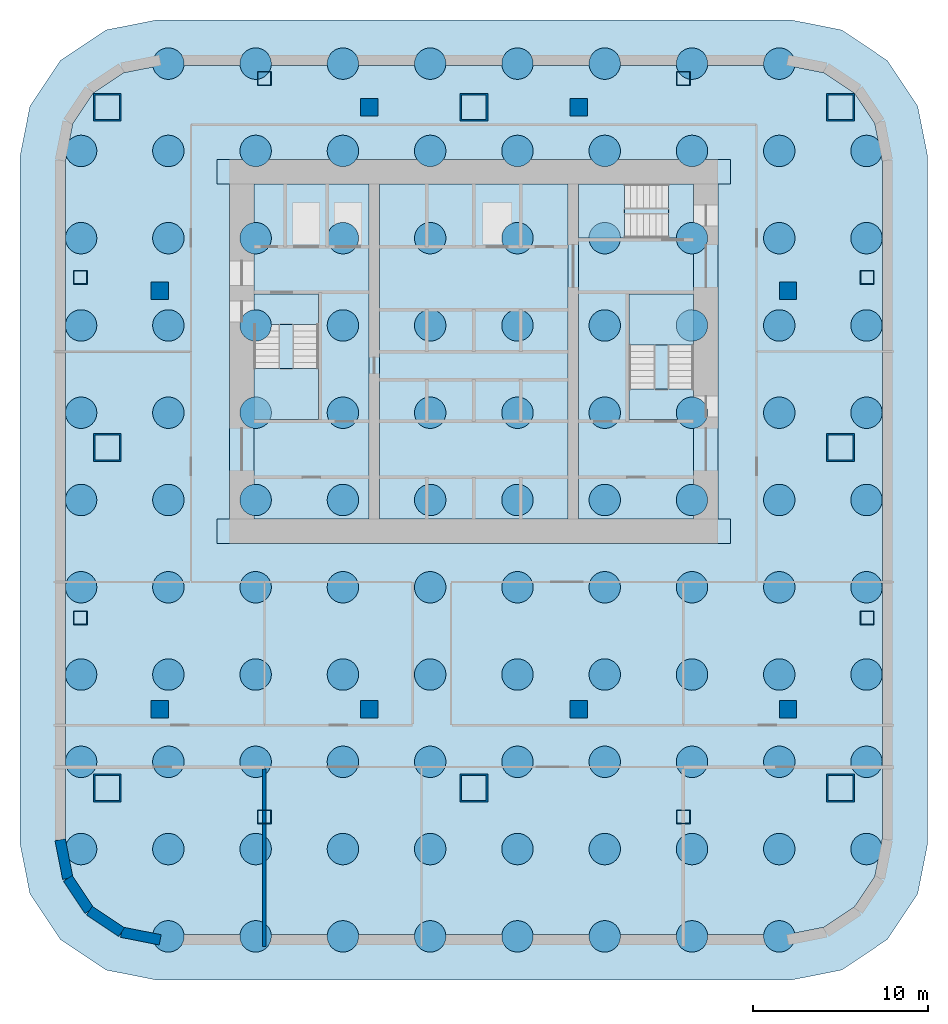
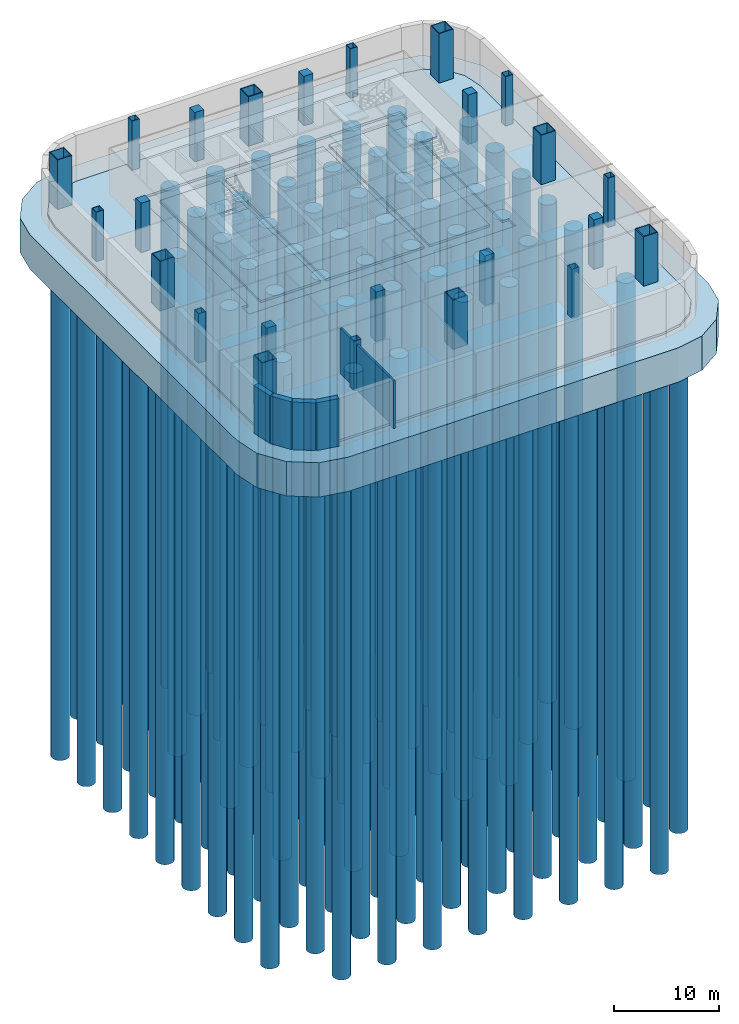
# One storey, part 1 of 6: 106 piles, 24 columns, 13 slabs, 5 walls, 1 footing, 3 elements without a shape of their own.
"""IFC4 building model written with IfcOpenShell, lengths in metres."""

from ifc_helpers import new_model, si_unit, direction, frame, frame_2d, origin, origin_2d, place, context, subcontext, project, spatial, polyline, rectangle, hollow_rectangle, circle, outline, extrude, material, layer, layer_set, material_profile, profile_set, type_object, element, aggregate, save


model = new_model("IFC4")

# Units and contexts
model_context = context("Model", 3, precision=1e-05, world=origin(), true_north=direction((0.0, 1.0)))
body_context = subcontext(model_context, "Body", "Model", "MODEL_VIEW")
ifc_project = project(units=[si_unit("LENGTHUNIT", "METRE"), si_unit("AREAUNIT", "SQUARE_METRE"), si_unit("VOLUMEUNIT", "CUBIC_METRE"), si_unit("PLANEANGLEUNIT", "RADIAN"), si_unit("MASSUNIT", "GRAM", prefix="KILO")], contexts=[model_context])

# Site, building, storey
site_placement = place(None, origin())
site = spatial("IfcSite", under=ifc_project, at=site_placement, CompositionType="ELEMENT")
building_placement = place(site_placement, origin())
building = spatial("IfcBuilding", under=site, at=building_placement, Name="Verdant Reach Tower", CompositionType="ELEMENT")
storey_placement = place(building_placement, frame((0.0, 0.0, -6.0)))
storey = spatial("IfcBuildingStorey", under=building, at=storey_placement, Name="B1", CompositionType="ELEMENT", Elevation=-6.0)

# Piles
ifc_material_1 = material(Name="Concrete C40/50", Category="concrete")
ifc_material_profile_1 = material_profile(ifc_material_1, circle(Radius=0.89990234375, at=origin_2d()), Name="BP 1800")
ifc_profile_set_1 = profile_set([ifc_material_profile_1], Name="Concrete C40/50")
pile_type = type_object("IfcPileType", Name="ST-PILE", PredefinedType="BORED", material=ifc_profile_set_1)
for number, where, z_axis, x_axis, name in (
    (1, (-22.5, -0.5, -4.0), (0.0, 0.0, -1.0), (1.0, 0.0, 0.0), "Bored pile 1"),
    (2, (-22.5, 4.5, -4.0), (0.0, 0.0, -1.0), (1.0, 0.0, 0.0), "Bored pile 2"),
    (3, (-22.5, 9.5, -4.0), (0.0, 0.0, -1.0), (1.0, 0.0, 0.0), "Bored pile 3"),
    (4, (-22.5, 14.5, -4.0), (0.0, 0.0, -1.0), (1.0, 0.0, 0.0), "Bored pile 4"),
    (5, (-22.5, 19.5, -4.0), (0.0, 0.0, -1.0), (1.0, 0.0, 0.0), "Bored pile 5"),
    (6, (-22.5, 24.5, -4.0), (0.0, 0.0, -1.0), (1.0, 0.0, 0.0), "Bored pile 6"),
    (7, (-22.5, 29.5, -4.0), (0.0, 0.0, -1.0), (1.0, 0.0, 0.0), "Bored pile 7"),
    (8, (-22.5, 34.5, -4.0), (0.0, 0.0, -1.0), (1.0, 0.0, 0.0), "Bored pile 8"),
    (9, (-22.5, 39.5, -4.0), (0.0, 0.0, -1.0), (1.0, 0.0, 0.0), "Bored pile 9"),
    (10, (-17.5, -5.5, -4.0), (0.0, 0.0, -1.0), (1.0, 0.0, 0.0), "Bored pile 10"),
    (11, (-17.5, -0.5, -4.0), (0.0, 0.0, -1.0), (1.0, 0.0, 0.0), "Bored pile 11"),
    (12, (-17.5, 4.5, -4.0), (0.0, 0.0, -1.0), (1.0, 0.0, 0.0), "Bored pile 12"),
    (13, (-17.5, 9.5, -4.0), (0.0, 0.0, -1.0), (1.0, 0.0, 0.0), "Bored pile 13"),
    (14, (-17.5, 14.5, -4.0), (0.0, 0.0, -1.0), (1.0, 0.0, 0.0), "Bored pile 14"),
    (15, (-17.5, 19.5, -4.0), (0.0, 0.0, -1.0), (1.0, 0.0, 0.0), "Bored pile 15"),
    (16, (-17.5, 24.5, -4.0), (0.0, 0.0, -1.0), (1.0, 0.0, 0.0), "Bored pile 16"),
    (17, (-17.5, 29.5, -4.0), (0.0, 0.0, -1.0), (1.0, 0.0, 0.0), "Bored pile 17"),
    (18, (-17.5, 34.5, -4.0), (0.0, 0.0, -1.0), (1.0, 0.0, 0.0), "Bored pile 18"),
    (19, (-17.5, 39.5, -4.0), (0.0, 0.0, -1.0), (1.0, 0.0, 0.0), "Bored pile 19"),
    (20, (-17.5, 44.5, -4.0), (0.0, 0.0, -1.0), (1.0, 0.0, 0.0), "Bored pile 20"),
    (21, (-12.5, -5.5, -4.0), (0.0, 0.0, -1.0), (1.0, 0.0, 0.0), "Bored pile 21"),
    (22, (-12.5, -0.5, -4.0), (0.0, 0.0, -1.0), (1.0, 0.0, 0.0), "Bored pile 22"),
    (23, (-12.5, 4.5, -4.0), (0.0, 0.0, -1.0), (1.0, 0.0, 0.0), "Bored pile 23"),
    (24, (-12.5, 9.5, -4.0), (0.0, 0.0, -1.0), (1.0, 0.0, 0.0), "Bored pile 24"),
    (25, (-12.5, 14.5, -4.0), (0.0, 0.0, -1.0), (1.0, 0.0, 0.0), "Bored pile 25"),
    (26, (-12.5, 19.5, -4.0), (0.0, 0.0, -1.0), (1.0, 0.0, 0.0), "Bored pile 26"),
    (27, (-12.5, 24.5, -4.0), (0.0, 0.0, -1.0), (1.0, 0.0, 0.0), "Bored pile 27"),
    (28, (-12.5, 29.5, -4.0), (0.0, 0.0, -1.0), (1.0, 0.0, 0.0), "Bored pile 28"),
    (29, (-12.5, 34.5, -4.0), (0.0, 0.0, -1.0), (1.0, 0.0, 0.0), "Bored pile 29"),
    (30, (-12.5, 39.5, -4.0), (0.0, 0.0, -1.0), (1.0, 0.0, 0.0), "Bored pile 30"),
    (31, (-12.5, 44.5, -4.0), (0.0, 0.0, -1.0), (1.0, 0.0, 0.0), "Bored pile 31"),
    (32, (-7.5, -5.5, -4.0), (0.0, 0.0, -1.0), (1.0, 0.0, 0.0), "Bored pile 32"),
    (33, (-7.5, -0.5, -4.0), (0.0, 0.0, -1.0), (1.0, 0.0, 0.0), "Bored pile 33"),
    (34, (-7.5, 4.5, -4.0), (0.0, 0.0, -1.0), (1.0, 0.0, 0.0), "Bored pile 34"),
    (35, (-7.5, 9.5, -4.0), (0.0, 0.0, -1.0), (1.0, 0.0, 0.0), "Bored pile 35"),
    (36, (-7.5, 14.5, -4.0), (0.0, 0.0, -1.0), (1.0, 0.0, 0.0), "Bored pile 36"),
    (37, (-7.5, 19.5, -4.0), (0.0, 0.0, -1.0), (1.0, 0.0, 0.0), "Bored pile 37"),
    (38, (-7.5, 24.5, -4.0), (0.0, 0.0, -1.0), (1.0, 0.0, 0.0), "Bored pile 38"),
    (39, (-7.5, 29.5, -4.0), (0.0, 0.0, -1.0), (1.0, 0.0, 0.0), "Bored pile 39"),
    (40, (-7.5, 34.5, -4.0), (0.0, 0.0, -1.0), (1.0, 0.0, 0.0), "Bored pile 40"),
    (41, (-7.5, 39.5, -4.0), (0.0, 0.0, -1.0), (1.0, 0.0, 0.0), "Bored pile 41"),
    (42, (-7.5, 44.5, -4.0), (0.0, 0.0, -1.0), (1.0, 0.0, 0.0), "Bored pile 42"),
    (43, (-2.5, -5.5, -4.0), (0.0, 0.0, -1.0), (1.0, 0.0, 0.0), "Bored pile 43"),
    (44, (-2.5, -0.5, -4.0), (0.0, 0.0, -1.0), (1.0, 0.0, 0.0), "Bored pile 44"),
    (45, (-2.5, 4.5, -4.0), (0.0, 0.0, -1.0), (1.0, 0.0, 0.0), "Bored pile 45"),
    (46, (-2.5, 9.5, -4.0), (0.0, 0.0, -1.0), (1.0, 0.0, 0.0), "Bored pile 46"),
    (47, (-2.5, 14.5, -4.0), (0.0, 0.0, -1.0), (1.0, 0.0, 0.0), "Bored pile 47"),
    (48, (-2.5, 19.5, -4.0), (0.0, 0.0, -1.0), (1.0, 0.0, 0.0), "Bored pile 48"),
    (49, (-2.5, 24.5, -4.0), (0.0, 0.0, -1.0), (1.0, 0.0, 0.0), "Bored pile 49"),
    (50, (-2.5, 29.5, -4.0), (0.0, 0.0, -1.0), (1.0, 0.0, 0.0), "Bored pile 50"),
    (51, (-2.5, 34.5, -4.0), (0.0, 0.0, -1.0), (1.0, 0.0, 0.0), "Bored pile 51"),
    (52, (-2.5, 39.5, -4.0), (0.0, 0.0, -1.0), (1.0, 0.0, 0.0), "Bored pile 52"),
    (53, (-2.5, 44.5, -4.0), (0.0, 0.0, -1.0), (1.0, 0.0, 0.0), "Bored pile 53"),
    (54, (2.5, -5.5, -4.0), (0.0, 0.0, -1.0), (1.0, 0.0, 0.0), "Bored pile 54"),
    (55, (2.5, -0.5, -4.0), (0.0, 0.0, -1.0), (1.0, 0.0, 0.0), "Bored pile 55"),
    (56, (2.5, 4.5, -4.0), (0.0, 0.0, -1.0), (1.0, 0.0, 0.0), "Bored pile 56"),
    (57, (2.5, 9.5, -4.0), (0.0, 0.0, -1.0), (1.0, 0.0, 0.0), "Bored pile 57"),
    (58, (2.5, 14.5, -4.0), (0.0, 0.0, -1.0), (1.0, 0.0, 0.0), "Bored pile 58"),
    (59, (2.5, 19.5, -4.0), (0.0, 0.0, -1.0), (1.0, 0.0, 0.0), "Bored pile 59"),
    (60, (2.5, 24.5, -4.0), (0.0, 0.0, -1.0), (1.0, 0.0, 0.0), "Bored pile 60"),
    (61, (2.5, 29.5, -4.0), (0.0, 0.0, -1.0), (1.0, 0.0, 0.0), "Bored pile 61"),
    (62, (2.5, 34.5, -4.0), (0.0, 0.0, -1.0), (1.0, 0.0, 0.0), "Bored pile 62"),
    (63, (2.5, 39.5, -4.0), (0.0, 0.0, -1.0), (1.0, 0.0, 0.0), "Bored pile 63"),
    (64, (2.5, 44.5, -4.0), (0.0, 0.0, -1.0), (1.0, 0.0, 0.0), "Bored pile 64"),
    (65, (7.5, -5.5, -4.0), (0.0, 0.0, -1.0), (1.0, 0.0, 0.0), "Bored pile 65"),
    (66, (7.5, -0.5, -4.0), (0.0, 0.0, -1.0), (1.0, 0.0, 0.0), "Bored pile 66"),
    (67, (7.5, 4.5, -4.0), (0.0, 0.0, -1.0), (1.0, 0.0, 0.0), "Bored pile 67"),
    (68, (7.5, 9.5, -4.0), (0.0, 0.0, -1.0), (1.0, 0.0, 0.0), "Bored pile 68"),
    (69, (7.5, 14.5, -4.0), (0.0, 0.0, -1.0), (1.0, 0.0, 0.0), "Bored pile 69"),
    (70, (7.5, 19.5, -4.0), (0.0, 0.0, -1.0), (1.0, 0.0, 0.0), "Bored pile 70"),
    (71, (7.5, 24.5, -4.0), (0.0, 0.0, -1.0), (1.0, 0.0, 0.0), "Bored pile 71"),
    (72, (7.5, 29.5, -4.0), (0.0, 0.0, -1.0), (1.0, 0.0, 0.0), "Bored pile 72"),
    (73, (7.5, 34.5, -4.0), (0.0, 0.0, -1.0), (1.0, 0.0, 0.0), "Bored pile 73"),
    (74, (7.5, 39.5, -4.0), (0.0, 0.0, -1.0), (1.0, 0.0, 0.0), "Bored pile 74"),
    (75, (7.5, 44.5, -4.0), (0.0, 0.0, -1.0), (1.0, 0.0, 0.0), "Bored pile 75"),
    (76, (12.5, -5.5, -4.0), (0.0, 0.0, -1.0), (1.0, 0.0, 0.0), "Bored pile 76"),
    (77, (12.5, -0.5, -4.0), (0.0, 0.0, -1.0), (1.0, 0.0, 0.0), "Bored pile 77"),
    (78, (12.5, 4.5, -4.0), (0.0, 0.0, -1.0), (1.0, 0.0, 0.0), "Bored pile 78"),
    (79, (12.5, 9.5, -4.0), (0.0, 0.0, -1.0), (1.0, 0.0, 0.0), "Bored pile 79"),
    (80, (12.5, 14.5, -4.0), (0.0, 0.0, -1.0), (1.0, 0.0, 0.0), "Bored pile 80"),
    (81, (12.5, 19.5, -4.0), (0.0, 0.0, -1.0), (1.0, 0.0, 0.0), "Bored pile 81"),
    (82, (12.5, 24.5, -4.0), (0.0, 0.0, -1.0), (1.0, 0.0, 0.0), "Bored pile 82"),
    (83, (12.5, 29.5, -4.0), (0.0, 0.0, -1.0), (1.0, 0.0, 0.0), "Bored pile 83"),
    (84, (12.5, 34.5, -4.0), (0.0, 0.0, -1.0), (1.0, 0.0, 0.0), "Bored pile 84"),
    (85, (12.5, 39.5, -4.0), (0.0, 0.0, -1.0), (1.0, 0.0, 0.0), "Bored pile 85"),
    (86, (12.5, 44.5, -4.0), (0.0, 0.0, -1.0), (1.0, 0.0, 0.0), "Bored pile 86"),
    (87, (17.5, -5.5, -4.0), (0.0, 0.0, -1.0), (1.0, 0.0, 0.0), "Bored pile 87"),
    (88, (17.5, -0.5, -4.0), (0.0, 0.0, -1.0), (1.0, 0.0, 0.0), "Bored pile 88"),
    (89, (17.5, 4.5, -4.0), (0.0, 0.0, -1.0), (1.0, 0.0, 0.0), "Bored pile 89"),
    (90, (17.5, 9.5, -4.0), (0.0, 0.0, -1.0), (1.0, 0.0, 0.0), "Bored pile 90"),
    (91, (17.5, 14.5, -4.0), (0.0, 0.0, -1.0), (1.0, 0.0, 0.0), "Bored pile 91"),
    (92, (17.5, 19.5, -4.0), (0.0, 0.0, -1.0), (1.0, 0.0, 0.0), "Bored pile 92"),
    (93, (17.5, 24.5, -4.0), (0.0, 0.0, -1.0), (1.0, 0.0, 0.0), "Bored pile 93"),
    (94, (17.5, 29.5, -4.0), (0.0, 0.0, -1.0), (1.0, 0.0, 0.0), "Bored pile 94"),
    (95, (17.5, 34.5, -4.0), (0.0, 0.0, -1.0), (1.0, 0.0, 0.0), "Bored pile 95"),
    (96, (17.5, 39.5, -4.0), (0.0, 0.0, -1.0), (1.0, 0.0, 0.0), "Bored pile 96"),
    (97, (17.5, 44.5, -4.0), (0.0, 0.0, -1.0), (1.0, 0.0, 0.0), "Bored pile 97"),
    (98, (22.5, -0.5, -4.0), (0.0, 0.0, -1.0), (1.0, 0.0, 0.0), "Bored pile 98"),
    (99, (22.5, 4.5, -4.0), (0.0, 0.0, -1.0), (1.0, 0.0, 0.0), "Bored pile 99"),
    (100, (22.5, 9.5, -4.0), (0.0, 0.0, -1.0), (1.0, 0.0, 0.0), "Bored pile 100"),
    (101, (22.5, 14.5, -4.0), (0.0, 0.0, -1.0), (1.0, 0.0, 0.0), "Bored pile 101"),
    (102, (22.5, 19.5, -4.0), (0.0, 0.0, -1.0), (1.0, 0.0, 0.0), "Bored pile 102"),
    (103, (22.5, 24.5, -4.0), (0.0, 0.0, -1.0), (1.0, 0.0, 0.0), "Bored pile 103"),
    (104, (22.5, 29.5, -4.0), (0.0, 0.0, -1.0), (1.0, 0.0, 0.0), "Bored pile 104"),
    (105, (22.5, 34.5, -4.0), (0.0, 0.0, -1.0), (1.0, 0.0, 0.0), "Bored pile 105"),
    (106, (22.5, 39.5, -4.0), (0.0, 0.0, -1.0), (1.0, 0.0, 0.0), "Bored pile 106"),
):
    element("IfcPile", number, at=place(storey_placement, frame(where, z_axis=z_axis, x_axis=x_axis)), inside=storey, type_object=pile_type, Name=name, PredefinedType="BORED", context=body_context, shape_type="SweptSolid", body=[
        extrude(circle(Radius=0.89990234375, at=origin_2d()), origin(), (0.0, 0.0, 1.0), 58.0),
    ])

# Footing
ifc_layer_1 = layer(ifc_material_1, 4.0)
ifc_layer_set_1 = layer_set([ifc_layer_1], Name="ST-RAFT")
footing_type = type_object("IfcFootingType", Name="ST-RAFT", PredefinedType="PILE_CAP", material=ifc_layer_set_1)
footing_placement = place(storey_placement, frame((0.0, 0.0, -4.0)))
element("IfcFooting", 107, at=footing_placement, inside=storey, type_object=footing_type, Name="Piled raft", PredefinedType="PILE_CAP", context=body_context, shape_type="SweptSolid", body=[
    extrude(outline(polyline([(18.197021484375, -8.0), (-18.197021484375, -8.0), (-21.076416015625, -7.42724609375), (-23.6845703125, -5.6845703125), (-25.42724609375, -3.076416015625), (-26.0, -0.197021484375), (-26.0, 39.197021484375), (-25.42724609375, 42.076416015625), (-23.6845703125, 44.6845703125), (-21.076416015625, 46.42724609375), (-18.197021484375, 47.0), (18.197021484375, 47.0), (21.076416015625, 46.42724609375), (23.6845703125, 44.6845703125), (25.42724609375, 42.076416015625), (26.0, 39.197021484375), (26.0, -0.197021484375), (25.42724609375, -3.076416015625), (23.6845703125, -5.6845703125), (21.076416015625, -7.42724609375), (18.197021484375, -8.0)])), origin(), (0.0, 0.0, 1.0), 4.0),
])

# Columns
ifc_material_2 = material(Name="Concrete C70/85", Category="concrete")
ifc_material_profile_2 = material_profile(ifc_material_2, rectangle(XDim=1.0, YDim=1.0, at=origin_2d()), Name="RC 1000x1000")
ifc_profile_set_2 = profile_set([ifc_material_profile_2], Name="Concrete C70/85")
column_type_1 = type_object("IfcColumnType", Name="ST-COL-RC1000x1000", PredefinedType="COLUMN", material=ifc_profile_set_2)
for number, where, z_axis, x_axis, name in (
    (108, (-18.0, 7.5, 0.0), (0.0, 0.0, 1.0), (1.0, 0.0, 0.0), "Basement column 1, B1"),
    (109, (-6.0, 7.5, 0.0), (0.0, 0.0, 1.0), (1.0, 0.0, 0.0), "Basement column 2, B1"),
    (110, (6.0, 7.5, 0.0), (0.0, 0.0, 1.0), (1.0, 0.0, 0.0), "Basement column 3, B1"),
    (111, (18.0, 7.5, 0.0), (0.0, 0.0, 1.0), (1.0, 0.0, 0.0), "Basement column 4, B1"),
    (112, (-18.0, 31.5, 0.0), (0.0, 0.0, 1.0), (1.0, 0.0, 0.0), "Basement column 5, B1"),
    (113, (18.0, 31.5, 0.0), (0.0, 0.0, 1.0), (1.0, 0.0, 0.0), "Basement column 6, B1"),
    (114, (-6.0, 42.0, 0.0), (0.0, 0.0, 1.0), (1.0, 0.0, 0.0), "Basement column 7, B1"),
    (115, (6.0, 42.0, 0.0), (0.0, 0.0, 1.0), (1.0, 0.0, 0.0), "Basement column 8, B1"),
):
    element("IfcColumn", number, at=place(storey_placement, frame(where, z_axis=z_axis, x_axis=x_axis)), inside=storey, type_object=column_type_1, Name=name, PredefinedType="COLUMN", context=body_context, shape_type="SweptSolid", body=[
        extrude(rectangle(XDim=1.0, YDim=1.0, at=origin_2d()), origin(), (0.0, 0.0, 1.0), 6.0),
    ])
ifc_material_3 = material(Name="Steel S460", Category="steel")
ifc_material_profile_3 = material_profile(ifc_material_3, hollow_rectangle(XDim=1.60009765625, YDim=1.60009765625, WallThickness=0.090087890625, at=origin_2d()), Name="WB 1600x1600x90")
ifc_profile_set_3 = profile_set([ifc_material_profile_3], Name="Steel S460")
column_type_2 = type_object("IfcColumnType", Name="ST-COL-WB1600x1600x90", PredefinedType="COLUMN", material=ifc_profile_set_3)
for number, where, z_axis, x_axis, name in (
    (116, (-21.0, 42.0, 0.0), (0.0, 0.0, 1.0), (1.0, 0.0, 0.0), "Mega column north-west, B1"),
    (117, (0.0, 42.0, 0.0), (0.0, 0.0, 1.0), (1.0, 0.0, 0.0), "Mega column north, B1"),
    (118, (21.0, 42.0, 0.0), (0.0, 0.0, 1.0), (1.0, 0.0, 0.0), "Mega column north-east, B1"),
    (119, (21.0, 22.5, 0.0), (0.0, 0.0, 1.0), (1.0, 0.0, 0.0), "Mega column east, B1"),
    (120, (21.0, 3.0, 0.0), (0.0, 0.0, 1.0), (1.0, 0.0, 0.0), "Mega column south-east, B1"),
    (121, (0.0, 3.0, 0.0), (0.0, 0.0, 1.0), (1.0, 0.0, 0.0), "Mega column south, B1"),
    (122, (-21.0, 3.0, 0.0), (0.0, 0.0, 1.0), (1.0, 0.0, 0.0), "Mega column south-west, B1"),
    (123, (-21.0, 22.5, 0.0), (0.0, 0.0, 1.0), (1.0, 0.0, 0.0), "Mega column west, B1"),
):
    element("IfcColumn", number, at=place(storey_placement, frame(where, z_axis=z_axis, x_axis=x_axis)), inside=storey, type_object=column_type_2, Name=name, PredefinedType="COLUMN", context=body_context, shape_type="SweptSolid", body=[
        extrude(hollow_rectangle(XDim=1.60009765625, YDim=1.60009765625, WallThickness=0.090087890625, at=origin_2d()), origin(), (0.0, 0.0, 1.0), 6.0),
    ])
ifc_material_profile_4 = material_profile(ifc_material_3, hollow_rectangle(XDim=0.800048828125, YDim=0.800048828125, WallThickness=0.0400390625, at=origin_2d()), Name="WB 800x800x40")
ifc_profile_set_4 = profile_set([ifc_material_profile_4], Name="Steel S460")
column_type_3 = type_object("IfcColumnType", Name="ST-COL-WB800x800x40", PredefinedType="COLUMN", material=ifc_profile_set_4)
for number, where, z_axis, x_axis, name in (
    (124, (-12.0, 43.64990234375, 0.0), (0.0, 0.0, 1.0), (1.0, 0.0, 0.0), "Perimeter column north 1, B1"),
    (125, (12.0, 43.64990234375, 0.0), (0.0, 0.0, 1.0), (1.0, 0.0, 0.0), "Perimeter column north 2, B1"),
    (126, (-12.0, 1.35009765625, 0.0), (0.0, 0.0, 1.0), (1.0, 0.0, 0.0), "Perimeter column south 1, B1"),
    (127, (12.0, 1.35009765625, 0.0), (0.0, 0.0, 1.0), (1.0, 0.0, 0.0), "Perimeter column south 2, B1"),
    (128, (22.536376953125, 12.75, 0.0), (0.0, 0.0, 1.0), (1.0, 0.0, 0.0), "Perimeter column east 1, B1"),
    (129, (22.536376953125, 32.25, 0.0), (0.0, 0.0, 1.0), (1.0, 0.0, 0.0), "Perimeter column east 2, B1"),
    (130, (-22.536376953125, 12.75, 0.0), (0.0, 0.0, 1.0), (1.0, 0.0, 0.0), "Perimeter column west 1, B1"),
    (131, (-22.536376953125, 32.25, 0.0), (0.0, 0.0, 1.0), (1.0, 0.0, 0.0), "Perimeter column west 2, B1"),
):
    element("IfcColumn", number, at=place(storey_placement, frame(where, z_axis=z_axis, x_axis=x_axis)), inside=storey, type_object=column_type_3, Name=name, PredefinedType="COLUMN", context=body_context, shape_type="SweptSolid", body=[
        extrude(hollow_rectangle(XDim=0.800048828125, YDim=0.800048828125, WallThickness=0.0400390625, at=origin_2d()), origin(), (0.0, 0.0, 1.0), 6.0),
    ])

# Stair, slabs
stair_type = type_object("IfcStairType", Name="CO-STAIR", PredefinedType="HALF_TURN_STAIR", material=ifc_material_1)
stair_1_placement = place(storey_placement, origin())
stair_1 = element("IfcStair", 132, at=stair_1_placement, inside=storey, type_object=stair_type, Name="B1 Exit stair 1", PredefinedType="HALF_TURN_STAIR")
ifc_layer_2 = layer(ifc_material_1, 0.199951171875)
ifc_layer_set_2 = layer_set([ifc_layer_2], Name="CO-STAIR-LANDING")
slab_type_1 = type_object("IfcSlabType", Name="CO-STAIR-LANDING", PredefinedType="LANDING", material=ifc_layer_set_2)
slab_1_placement = place(storey_placement, frame((0.0, 0.0, 1.300048828125)))
slab_1 = element("IfcSlab", 133, at=slab_1_placement, type_object=slab_type_1, Name="ST-1 landing 1", PredefinedType="LANDING", context=body_context, shape_type="SweptSolid", body=[
    extrude(outline(polyline([(-12.60009765625, 27.030029296875), (-12.60009765625, 24.10009765625), (-8.89990234375, 24.10009765625), (-8.89990234375, 27.030029296875), (-12.60009765625, 27.030029296875)])), origin(), (0.0, 0.0, 1.0), 0.199951171875),
])
slab_2_placement = place(storey_placement, frame((0.0, 0.0, 2.800048828125)))
slab_2 = element("IfcSlab", 134, at=slab_2_placement, type_object=slab_type_1, Name="ST-1 landing 2", PredefinedType="LANDING", context=body_context, shape_type="SweptSolid", body=[
    extrude(outline(polyline([(-12.60009765625, 31.300048828125), (-12.60009765625, 29.550048828125), (-8.89990234375, 29.550048828125), (-8.89990234375, 31.300048828125), (-12.60009765625, 31.300048828125)])), origin(), (0.0, 0.0, 1.0), 0.199951171875),
])
slab_3_placement = place(storey_placement, frame((0.0, 0.0, 4.300048828125)))
slab_3 = element("IfcSlab", 135, at=slab_3_placement, type_object=slab_type_1, Name="ST-1 landing 3", PredefinedType="LANDING", context=body_context, shape_type="SweptSolid", body=[
    extrude(outline(polyline([(-12.60009765625, 27.030029296875), (-12.60009765625, 24.10009765625), (-8.89990234375, 24.10009765625), (-8.89990234375, 27.030029296875), (-12.60009765625, 27.030029296875)])), origin(), (0.0, 0.0, 1.0), 0.199951171875),
])
aggregate(stair_1, [slab_1, slab_2, slab_3])

stair_2_placement = place(storey_placement, origin())
stair_2 = element("IfcStair", 136, at=stair_2_placement, inside=storey, type_object=stair_type, Name="B1 Exit stair 2", PredefinedType="HALF_TURN_STAIR")
slab_4_placement = place(storey_placement, frame((0.0, 0.0, 1.300048828125)))
slab_4 = element("IfcSlab", 137, at=slab_4_placement, type_object=slab_type_1, Name="ST-2 landing 1", PredefinedType="LANDING", context=body_context, shape_type="SweptSolid", body=[
    extrude(outline(polyline([(12.60009765625, 28.3701171875), (12.60009765625, 31.300048828125), (8.89990234375, 31.300048828125), (8.89990234375, 28.3701171875), (12.60009765625, 28.3701171875)])), origin(), (0.0, 0.0, 1.0), 0.199951171875),
])
slab_5_placement = place(storey_placement, frame((0.0, 0.0, 2.800048828125)))
slab_5 = element("IfcSlab", 138, at=slab_5_placement, type_object=slab_type_1, Name="ST-2 landing 2", PredefinedType="LANDING", context=body_context, shape_type="SweptSolid", body=[
    extrude(outline(polyline([(12.60009765625, 24.10009765625), (12.60009765625, 25.85009765625), (8.89990234375, 25.85009765625), (8.89990234375, 24.10009765625), (12.60009765625, 24.10009765625)])), origin(), (0.0, 0.0, 1.0), 0.199951171875),
])
slab_6_placement = place(storey_placement, frame((0.0, 0.0, 4.300048828125)))
slab_6 = element("IfcSlab", 139, at=slab_6_placement, type_object=slab_type_1, Name="ST-2 landing 3", PredefinedType="LANDING", context=body_context, shape_type="SweptSolid", body=[
    extrude(outline(polyline([(12.60009765625, 28.3701171875), (12.60009765625, 31.300048828125), (8.89990234375, 31.300048828125), (8.89990234375, 28.3701171875), (12.60009765625, 28.3701171875)])), origin(), (0.0, 0.0, 1.0), 0.199951171875),
])
aggregate(stair_2, [slab_4, slab_5, slab_6])

stair_3_placement = place(storey_placement, origin())
stair_3 = element("IfcStair", 140, at=stair_3_placement, inside=storey, type_object=stair_type, Name="B1 Exit stair 3", PredefinedType="HALF_TURN_STAIR")
slab_7_placement = place(storey_placement, frame((0.0, 0.0, 1.300048828125)))
slab_7 = element("IfcSlab", 141, at=slab_7_placement, type_object=slab_type_1, Name="ST-3 landing 1", PredefinedType="LANDING", context=body_context, shape_type="SweptSolid", body=[
    extrude(outline(polyline([(8.6298828125, 37.60009765625), (6.0, 37.60009765625), (6.0, 34.5), (8.6298828125, 34.5), (8.6298828125, 37.60009765625)])), origin(), (0.0, 0.0, 1.0), 0.199951171875),
])
slab_8_placement = place(storey_placement, frame((0.0, 0.0, 2.800048828125)))
slab_8 = element("IfcSlab", 142, at=slab_8_placement, type_object=slab_type_1, Name="ST-3 landing 2", PredefinedType="LANDING", context=body_context, shape_type="SweptSolid", body=[
    extrude(outline(polyline([(12.60009765625, 37.60009765625), (11.14990234375, 37.60009765625), (11.14990234375, 34.5), (12.60009765625, 34.5), (12.60009765625, 37.60009765625)])), origin(), (0.0, 0.0, 1.0), 0.199951171875),
])
slab_9_placement = place(storey_placement, frame((0.0, 0.0, 4.300048828125)))
slab_9 = element("IfcSlab", 143, at=slab_9_placement, type_object=slab_type_1, Name="ST-3 landing 3", PredefinedType="LANDING", context=body_context, shape_type="SweptSolid", body=[
    extrude(outline(polyline([(8.6298828125, 37.60009765625), (6.0, 37.60009765625), (6.0, 34.5), (8.6298828125, 34.5), (8.6298828125, 37.60009765625)])), origin(), (0.0, 0.0, 1.0), 0.199951171875),
])
aggregate(stair_3, [slab_7, slab_8, slab_9])

# Slabs
ifc_material_4 = material(Name="Concrete C35/45", Category="concrete")
ifc_layer_3 = layer(ifc_material_4, 0.25)
ifc_layer_set_3 = layer_set([ifc_layer_3], Name="ST-SLAB-BASEMENT")
slab_type_2 = type_object("IfcSlabType", Name="ST-SLAB-BASEMENT", PredefinedType="BASESLAB", material=ifc_layer_set_3)
slab_10_placement = place(storey_placement, origin())
element("IfcSlab", 144, at=slab_10_placement, inside=storey, type_object=slab_type_2, Name="Basement floor slab", PredefinedType="BASESLAB", context=body_context, shape_type="SweptSolid", body=[
    extrude(outline(polyline([(-17.94091796875, -5.39990234375), (-20.06201171875, -4.97802734375), (-21.81005859375, -3.81005859375), (-22.97802734375, -2.06201171875), (-23.39990234375, 0.05908203125), (-23.39990234375, 38.94091796875), (-22.97802734375, 41.06201171875), (-21.81005859375, 42.81005859375), (-20.06201171875, 43.97802734375), (-17.94091796875, 44.39990234375), (17.94091796875, 44.39990234375), (20.06201171875, 43.97802734375), (21.81005859375, 42.81005859375), (22.97802734375, 41.06201171875), (23.39990234375, 38.94091796875), (23.39990234375, 0.05908203125), (22.97802734375, -2.06201171875), (21.81005859375, -3.81005859375), (20.06201171875, -4.97802734375), (17.94091796875, -5.39990234375), (-17.94091796875, -5.39990234375)]), holes=[polyline([(-11.60009765625, 1.75), (-12.39990234375, 1.75), (-12.39990234375, 0.949951171875), (-11.60009765625, 0.949951171875), (-11.60009765625, 1.75)]), polyline([(-20.199951171875, 2.199951171875), (-20.199951171875, 3.800048828125), (-21.800048828125, 3.800048828125), (-21.800048828125, 2.199951171875), (-20.199951171875, 2.199951171875)]), polyline([(-17.5, 7.0), (-17.5, 8.0), (-18.5, 8.0), (-18.5, 7.0), (-17.5, 7.0)]), polyline([(-5.5, 7.0), (-5.5, 8.0), (-6.5, 8.0), (-6.5, 7.0), (-5.5, 7.0)]), polyline([(-22.136474609375, 12.35009765625), (-22.136474609375, 13.14990234375), (-22.936279296875, 13.14990234375), (-22.936279296875, 12.35009765625), (-22.136474609375, 12.35009765625)]), polyline([(-20.199951171875, 21.699951171875), (-20.199951171875, 23.300048828125), (-21.800048828125, 23.300048828125), (-21.800048828125, 21.699951171875), (-20.199951171875, 21.699951171875)]), polyline([(-14.0, 18.39990234375), (-14.699951171875, 18.39990234375), (-14.699951171875, 17.0), (14.699951171875, 17.0), (14.699951171875, 18.39990234375), (14.0, 18.39990234375), (14.0, 37.60009765625), (14.699951171875, 37.60009765625), (14.699951171875, 39.0), (-14.699951171875, 39.0), (-14.699951171875, 37.60009765625), (-14.0, 37.60009765625), (-14.0, 18.39990234375)]), polyline([(-17.5, 31.0), (-17.5, 32.0), (-18.5, 32.0), (-18.5, 31.0), (-17.5, 31.0)]), polyline([(-22.136474609375, 31.85009765625), (-22.136474609375, 32.64990234375), (-22.936279296875, 32.64990234375), (-22.936279296875, 31.85009765625), (-22.136474609375, 31.85009765625)]), polyline([(-20.199951171875, 41.199951171875), (-20.199951171875, 42.800048828125), (-21.800048828125, 42.800048828125), (-21.800048828125, 41.199951171875), (-20.199951171875, 41.199951171875)]), polyline([(-5.5, 41.5), (-5.5, 42.5), (-6.5, 42.5), (-6.5, 41.5), (-5.5, 41.5)]), polyline([(0.800048828125, 41.199951171875), (0.800048828125, 42.800048828125), (-0.800048828125, 42.800048828125), (-0.800048828125, 41.199951171875), (0.800048828125, 41.199951171875)]), polyline([(-11.60009765625, 43.25), (-11.60009765625, 44.050048828125), (-12.39990234375, 44.050048828125), (-12.39990234375, 43.25), (-11.60009765625, 43.25)]), polyline([(12.39990234375, 1.75), (11.60009765625, 1.75), (11.60009765625, 0.949951171875), (12.39990234375, 0.949951171875), (12.39990234375, 1.75)]), polyline([(0.800048828125, 2.199951171875), (0.800048828125, 3.800048828125), (-0.800048828125, 3.800048828125), (-0.800048828125, 2.199951171875), (0.800048828125, 2.199951171875)]), polyline([(21.800048828125, 2.199951171875), (21.800048828125, 3.800048828125), (20.199951171875, 3.800048828125), (20.199951171875, 2.199951171875), (21.800048828125, 2.199951171875)]), polyline([(6.5, 7.0), (6.5, 8.0), (5.5, 8.0), (5.5, 7.0), (6.5, 7.0)]), polyline([(18.5, 7.0), (18.5, 8.0), (17.5, 8.0), (17.5, 7.0), (18.5, 7.0)]), polyline([(22.936279296875, 12.35009765625), (22.936279296875, 13.14990234375), (22.136474609375, 13.14990234375), (22.136474609375, 12.35009765625), (22.936279296875, 12.35009765625)]), polyline([(21.800048828125, 21.699951171875), (21.800048828125, 23.300048828125), (20.199951171875, 23.300048828125), (20.199951171875, 21.699951171875), (21.800048828125, 21.699951171875)]), polyline([(18.5, 31.0), (18.5, 32.0), (17.5, 32.0), (17.5, 31.0), (18.5, 31.0)]), polyline([(22.936279296875, 31.85009765625), (22.936279296875, 32.64990234375), (22.136474609375, 32.64990234375), (22.136474609375, 31.85009765625), (22.936279296875, 31.85009765625)]), polyline([(6.5, 41.5), (6.5, 42.5), (5.5, 42.5), (5.5, 41.5), (6.5, 41.5)]), polyline([(21.800048828125, 41.199951171875), (21.800048828125, 42.800048828125), (20.199951171875, 42.800048828125), (20.199951171875, 41.199951171875), (21.800048828125, 41.199951171875)]), polyline([(12.39990234375, 43.25), (12.39990234375, 44.050048828125), (11.60009765625, 44.050048828125), (11.60009765625, 43.25), (12.39990234375, 43.25)])]), origin(), (0.0, 0.0, 1.0), 0.25),
])
slab_11_placement = place(storey_placement, origin())
element("IfcSlab", 145, at=slab_11_placement, inside=storey, type_object=slab_type_2, Name="Basement floor slab", PredefinedType="BASESLAB", context=body_context, shape_type="SweptSolid", body=[
    extrude(outline(polyline([(12.60009765625, 37.60009765625), (12.60009765625, 18.39990234375), (6.0, 18.39990234375), (6.0, 37.60009765625), (12.60009765625, 37.60009765625)])), origin(), (0.0, 0.0, 1.0), 0.25),
])
slab_12_placement = place(storey_placement, origin())
element("IfcSlab", 146, at=slab_12_placement, inside=storey, type_object=slab_type_2, Name="Basement floor slab", PredefinedType="BASESLAB", context=body_context, shape_type="SweptSolid", body=[
    extrude(outline(polyline([(5.39990234375, 37.60009765625), (5.39990234375, 18.39990234375), (-5.39990234375, 18.39990234375), (-5.39990234375, 37.60009765625), (5.39990234375, 37.60009765625)])), origin(), (0.0, 0.0, 1.0), 0.25),
])
slab_13_placement = place(storey_placement, origin())
element("IfcSlab", 147, at=slab_13_placement, inside=storey, type_object=slab_type_2, Name="Basement floor slab", PredefinedType="BASESLAB", context=body_context, shape_type="SweptSolid", body=[
    extrude(outline(polyline([(-6.0, 18.39990234375), (-12.60009765625, 18.39990234375), (-12.60009765625, 37.60009765625), (-6.0, 37.60009765625), (-6.0, 18.39990234375)])), origin(), (0.0, 0.0, 1.0), 0.25),
])

# Walls
ifc_layer_4 = layer(ifc_material_1, 0.60009765625)
ifc_layer_set_4 = layer_set([ifc_layer_4], Name="ST-BASEMENT-WALL")
wall_type_1 = type_object("IfcWallType", Name="ST-BASEMENT-WALL", PredefinedType="SHEAR", material=ifc_layer_set_4)
wall_1_placement = place(storey_placement, frame((-17.970458984375, -5.699951171875, 0.0), z_axis=(0.0, 0.0, 1.0), x_axis=(-0.980792774628, 0.195052642224, 0.0)))
element("IfcWall", 148, at=wall_1_placement, inside=storey, type_object=wall_type_1, Name="Basement retaining wall 2", PredefinedType="SHEAR", context=body_context, shape_type="SweptSolid", body=[
    extrude(rectangle(XDim=2.251708984375, YDim=0.60009765625, at=frame_2d((1.1259765625, 0.0))), origin(), (0.0, 0.0, 1.0), 5.550048828125),
])
for number, where, z_axis, x_axis, name in (
    (149, (-20.178955078125, -5.2607421875, 0.0), (0.0, 0.0, 1.0), (-0.831475081676, 0.555562047437, 0.0), "Basement retaining wall 3"),
    (150, (-22.0263671875, -4.0263671875, 0.0), (0.0, 0.0, 1.0), (-0.555562047437, 0.831475081676, 0.0), "Basement retaining wall 4"),
):
    element("IfcWall", number, at=place(storey_placement, frame(where, z_axis=z_axis, x_axis=x_axis)), inside=storey, type_object=wall_type_1, Name=name, PredefinedType="SHEAR", context=body_context, shape_type="SweptSolid", body=[
        extrude(rectangle(XDim=2.221923828125, YDim=0.60009765625, at=frame_2d((1.11083984375, 0.0))), origin(), (0.0, 0.0, 1.0), 5.550048828125),
    ])
wall_2_placement = place(storey_placement, frame((-23.2607421875, -2.178955078125, 0.0), z_axis=(0.0, 0.0, 1.0), x_axis=(-0.195052642224, 0.980792774628, 0.0)))
element("IfcWall", 151, at=wall_2_placement, inside=storey, type_object=wall_type_1, Name="Basement retaining wall 5", PredefinedType="SHEAR", context=body_context, shape_type="SweptSolid", body=[
    extrude(rectangle(XDim=2.251708984375, YDim=0.60009765625, at=frame_2d((1.1259765625, 0.0))), origin(), (0.0, 0.0, 1.0), 5.550048828125),
])
ifc_material_5 = material(Name="Calcium silicate board on steel studs, fire rated", Category="steel")
ifc_layer_5 = layer(ifc_material_5, 0.199951171875)
ifc_layer_set_5 = layer_set([ifc_layer_5], Name="SV-W3 Fire wall 200 EI 120")
wall_type_2 = type_object("IfcWallType", Name="SV-W3 Fire wall 200 EI 120", PredefinedType="PARTITIONING", material=ifc_layer_set_5)
wall_3_placement = place(storey_placement, frame((-12.0, 4.10009765625, 0.0), z_axis=(0.0, 0.0, 1.0), x_axis=(0.0, -1.0, 0.0)))
element("IfcWall", 152, at=wall_3_placement, inside=storey, type_object=wall_type_2, Name="Partition B1.19", PredefinedType="PARTITIONING", context=body_context, shape_type="SweptSolid", body=[
    extrude(rectangle(XDim=10.18017578125, YDim=0.199951171875, at=frame_2d((5.090087890625, 0.0))), origin(), (0.0, 0.0, 1.0), 5.550048828125),
])

save(model, "model.ifc")
